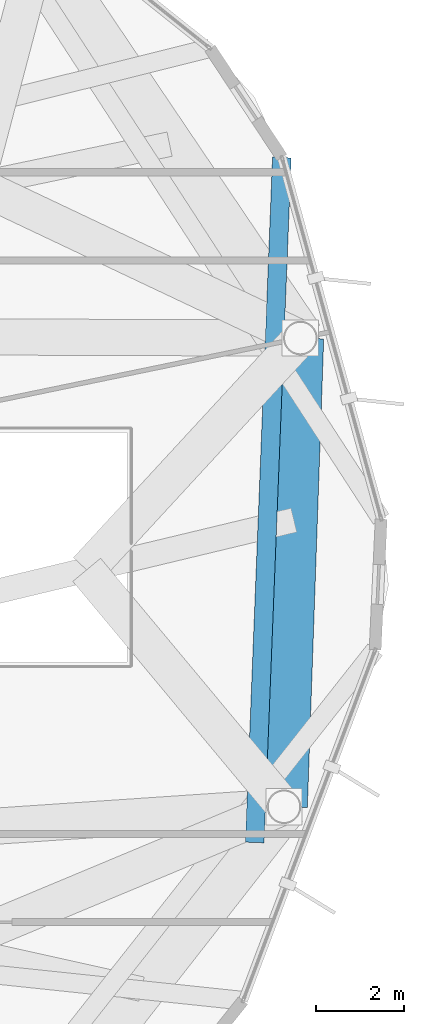
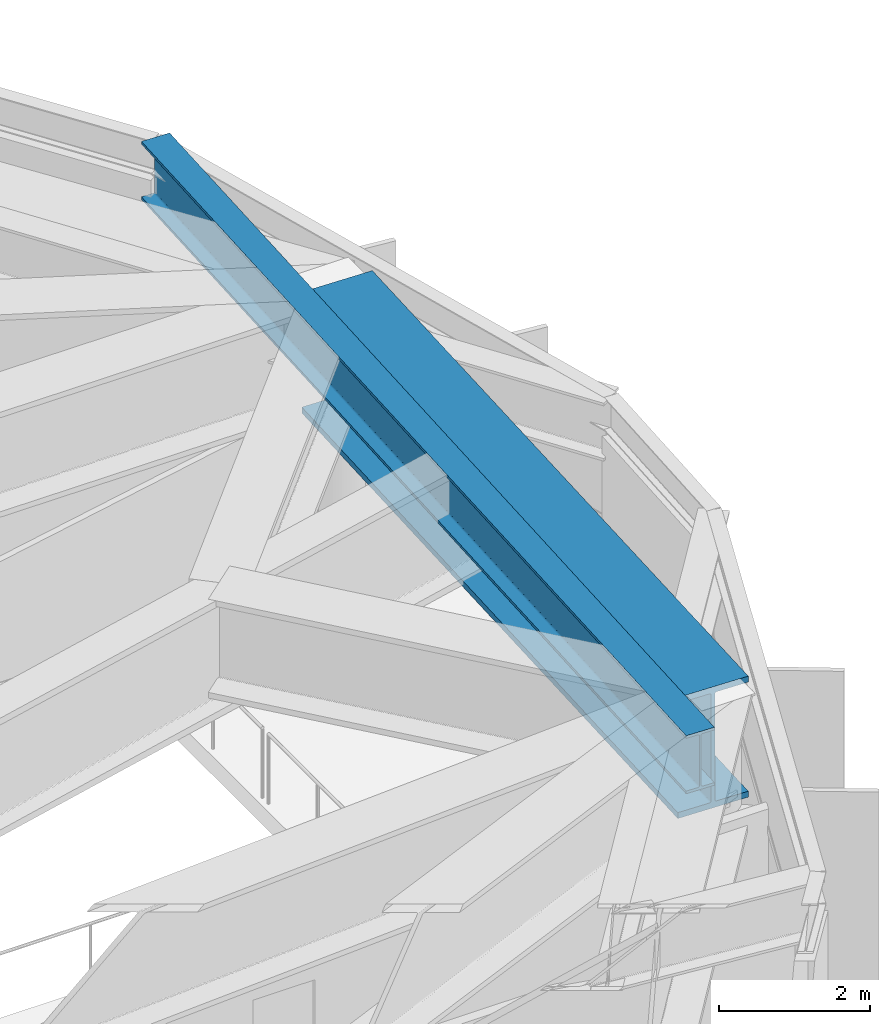
# One storey, part 15 of 27: 2 beams.
"""IFC4 building model written with IfcOpenShell, lengths in metres."""

from ifc_helpers import new_model, si_unit, direction, frame, origin, origin_2d, place, context, subcontext, project, spatial, i_section, extrude, material, material_profile, profile_set, type_object, element, save


model = new_model("IFC4")

# Units and contexts
model_context = context("Model", 3, precision=1e-05, world=origin(), true_north=direction((0.0, 1.0)))
body_context = subcontext(model_context, "Body", "Model", "MODEL_VIEW")
ifc_project = project(units=[si_unit("LENGTHUNIT", "METRE"), si_unit("AREAUNIT", "SQUARE_METRE"), si_unit("VOLUMEUNIT", "CUBIC_METRE"), si_unit("PLANEANGLEUNIT", "RADIAN"), si_unit("MASSUNIT", "GRAM", prefix="KILO")], contexts=[model_context])

# Site, building, storey
site_placement = place(None, origin())
site = spatial("IfcSite", under=ifc_project, at=site_placement, CompositionType="ELEMENT")
building_placement = place(site_placement, origin())
building = spatial("IfcBuilding", under=site, at=building_placement, Name="Soratama Intermodal Tower", CompositionType="ELEMENT")
storey_placement = place(building_placement, frame((0.0, 0.0, 288.550048828125)))
storey = spatial("IfcBuildingStorey", under=building, at=storey_placement, Name="L73", CompositionType="ELEMENT", Elevation=288.550048828125)

# Beams
ifc_material_1 = material(Name="Structural steel ASTM A992 Grade 50", Category="steel")
ifc_material_profile_1 = material_profile(ifc_material_1, i_section(OverallWidth=0.423095703125, OverallDepth=0.93896484375, WebThickness=0.02392578125, FlangeThickness=0.042724609375, FilletRadius=0.02392578125, at=origin_2d()), Name="W36X302")
ifc_profile_set_1 = profile_set([ifc_material_profile_1], Name="Structural steel ASTM A992 Grade 50")
beam_type_1 = type_object("IfcBeamType", Name="BM-POD-W36X302", PredefinedType="BEAM", material=ifc_profile_set_1)
beam_1_placement = place(storey_placement, frame((60.5, 18.306884765625, 3.725341796875), z_axis=(0.039576510195, 0.999216543018, 0.0), x_axis=(-0.999216543018, 0.039576510195, 0.0)))
element("IfcBeam", 1, at=beam_1_placement, inside=storey, type_object=beam_type_1, Name="BM-L73-TIE1-09", PredefinedType="BEAM", context=body_context, shape_type="SweptSolid", body=[
    extrude(i_section(OverallWidth=0.423095703125, OverallDepth=0.93896484375, WebThickness=0.02392578125, FlangeThickness=0.042724609375, FilletRadius=0.02392578125, at=origin_2d()), origin(), (0.0, 0.0, 1.0), 15.539306640625),
])
ifc_material_2 = material(Name="Structural steel ASTM A992 Grade 50", Category="steel")
ifc_material_profile_2 = material_profile(ifc_material_2, i_section(OverallWidth=1.06005859375, OverallDepth=1.9599609375, WebThickness=0.05810546875, FlangeThickness=0.095947265625, FilletRadius=0.02392578125, at=origin_2d()), Name="PG2400X900")
ifc_profile_set_2 = profile_set([ifc_material_profile_2], Name="Structural steel ASTM A992 Grade 50")
beam_type_2 = type_object("IfcBeamType", Name="BM-ZSTEP-PG2400", PredefinedType="BEAM", material=ifc_profile_set_2)
beam_2_placement = place(storey_placement, frame((61.1630859375, 19.116943359375, 3.21484375), z_axis=(0.034885453879, 0.999391317307, 0.0), x_axis=(-0.999391317307, 0.034885453879, 0.0)))
element("IfcBeam", 2, at=beam_2_placement, inside=storey, type_object=beam_type_2, Name="BM-L73-RING-10", PredefinedType="BEAM", context=body_context, shape_type="SweptSolid", body=[
    extrude(i_section(OverallWidth=1.06005859375, OverallDepth=1.9599609375, WebThickness=0.05810546875, FlangeThickness=0.095947265625, FilletRadius=0.02392578125, at=origin_2d()), origin(), (0.0, 0.0, 1.0), 10.630615234375),
])

save(model, "model.ifc")
